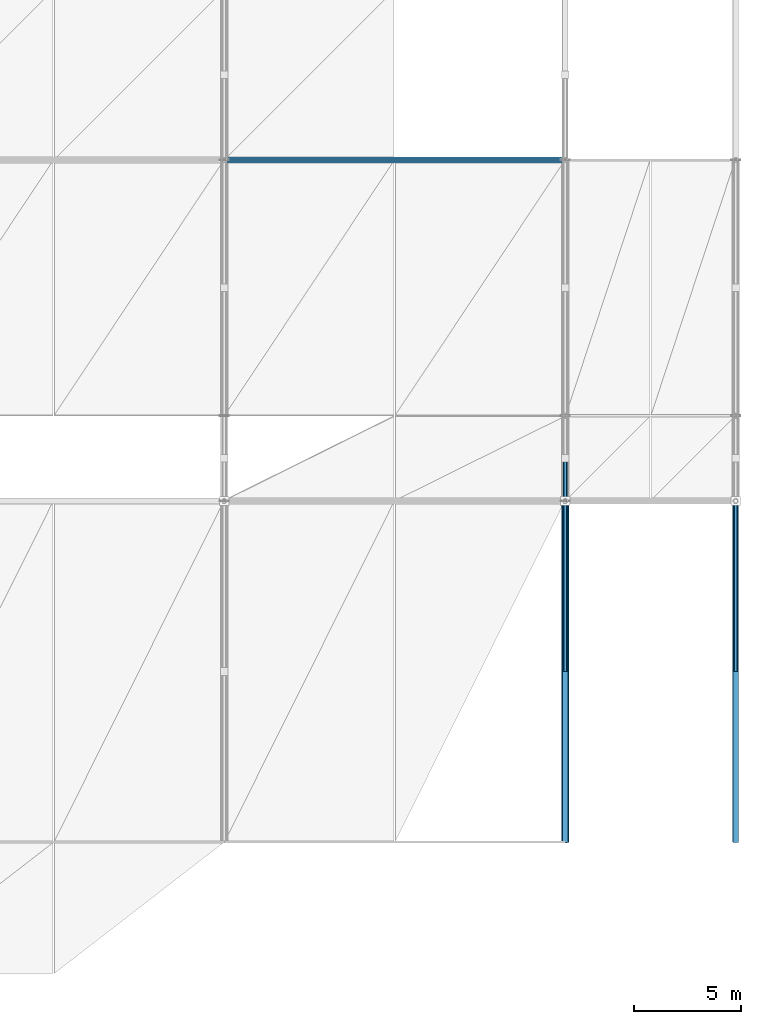
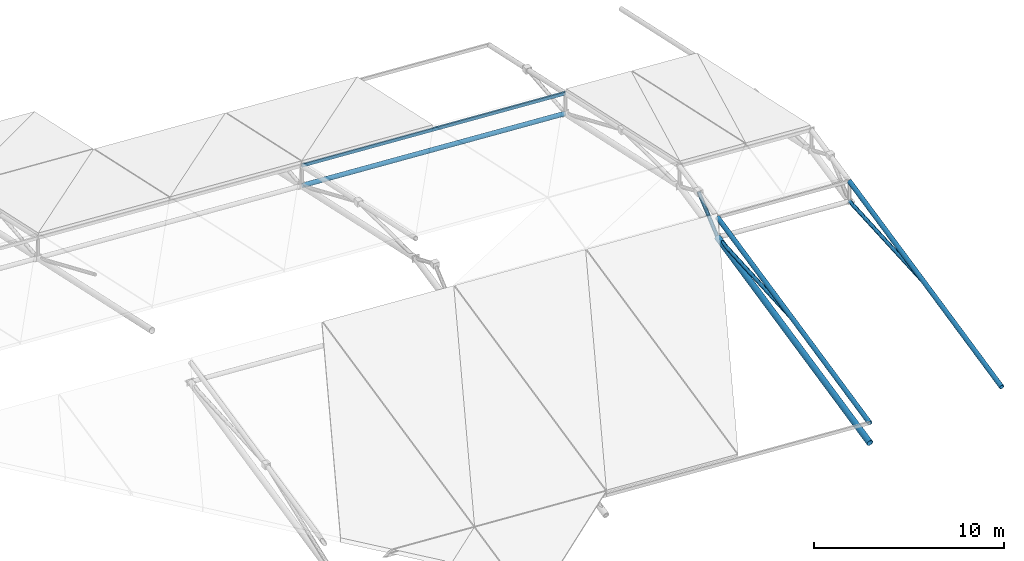
# One storey, part 31 of 67: 6 members, 2 beams.
"""IFC4 building model written with IfcOpenShell, lengths in metres."""

from ifc_helpers import new_model, si_unit, direction, frame, origin, origin_2d, place, context, subcontext, project, spatial, hollow_rectangle, hollow_circle, extrude, material, material_profile, profile_set, type_object, element, save


model = new_model("IFC4")

# Units and contexts
model_context = context("Model", 3, precision=1e-05, world=origin(), true_north=direction((0.0, 1.0)))
body_context = subcontext(model_context, "Body", "Model", "MODEL_VIEW")
ifc_project = project(units=[si_unit("LENGTHUNIT", "METRE"), si_unit("AREAUNIT", "SQUARE_METRE"), si_unit("VOLUMEUNIT", "CUBIC_METRE"), si_unit("PLANEANGLEUNIT", "RADIAN"), si_unit("MASSUNIT", "GRAM", prefix="KILO")], contexts=[model_context])

# Site, building, storey
site_placement = place(None, origin())
site = spatial("IfcSite", under=ifc_project, at=site_placement, CompositionType="ELEMENT")
building_placement = place(site_placement, origin())
building = spatial("IfcBuilding", under=site, at=building_placement, Name="Drelvath Fold Interchange", CompositionType="ELEMENT")
storey_placement = place(building_placement, frame((0.0, 0.0, 15.60009765625)))
storey = spatial("IfcBuildingStorey", under=building, at=storey_placement, Name="L03", CompositionType="ELEMENT", Elevation=15.60009765625)

# Members
ifc_material = material(Name="Steel ASTM A500 Grade C", Category="steel")
ifc_material_profile_1 = material_profile(ifc_material, hollow_rectangle(XDim=0.10205078125, YDim=0.202880859375, WallThickness=0.00732421875, at=origin_2d()), Name="HSS8X4X5/16")
ifc_profile_set_1 = profile_set([ifc_material_profile_1], Name="Steel ASTM A500 Grade C")
member_type_1 = type_object("IfcMemberType", Name="PR-HSS203", PredefinedType="PURLIN", material=ifc_profile_set_1)
member_1_placement = place(storey_placement, frame((150.0, 59.0, 2.2578125), z_axis=(0.998197699277, 0.0, -0.060011275256), x_axis=(0.0, 1.0, 0.0)))
element("IfcMember", 1, at=member_1_placement, inside=storey, type_object=member_type_1, Name="L03 Space frame canopy purlin PR-HSS203", PredefinedType="PURLIN", context=body_context, shape_type="SweptSolid", body=[
    extrude(hollow_rectangle(XDim=0.10205078125, YDim=0.202880859375, WallThickness=0.00732421875, at=origin_2d()), origin(), (0.0, 0.0, 1.0), 16.02880859375),
])
ifc_material_profile_2 = material_profile(ifc_material, hollow_circle(Radius=0.136474609375, WallThickness=0.01171875, at=origin_2d()), Name="HSS10.750X0.500")
ifc_profile_set_2 = profile_set([ifc_material_profile_2], Name="Steel ASTM A500 Grade C")
member_type_2 = type_object("IfcMemberType", Name="SF-CHD273", PredefinedType="CHORD", material=ifc_profile_set_2)
for number, where, z_axis, x_axis, name in (
    (2, (166.0, 27.0, -0.47998046875), (0.0, 0.977055375556, 0.212985429309), (-1.0, 0.0, 0.0), "L03 Space frame roof truss upper chord SF-CHD273"),
    (3, (174.0, 27.0, -0.961181640625), (0.0, 0.977052272987, 0.212999661624), (-1.0, 0.0, 0.0), "L03 Space frame roof truss upper chord SF-CHD273"),
):
    element("IfcMember", number, at=place(storey_placement, frame(where, z_axis=z_axis, x_axis=x_axis)), inside=storey, type_object=member_type_2, Name=name, PredefinedType="CHORD", context=body_context, shape_type="SweptSolid", body=[
        extrude(hollow_circle(Radius=0.136474609375, WallThickness=0.01171875, at=origin_2d()), origin(), (0.0, 0.0, 1.0), 16.375732421875),
    ])

# Beams
ifc_material_profile_3 = material_profile(ifc_material, hollow_circle(Radius=0.177978515625, WallThickness=0.01171875, at=origin_2d()), Name="HSS14.000X0.500")
ifc_profile_set_3 = profile_set([ifc_material_profile_3], Name="Steel ASTM A500 Grade C")
beam_type_1 = type_object("IfcBeamType", Name="SF-RIB356", PredefinedType="BEAM", material=ifc_profile_set_3)
beam_1_placement = place(storey_placement, frame((166.0, 27.0, -1.75), z_axis=(0.0, 0.977055375556, 0.212985429309), x_axis=(-1.0, 0.0, 0.0)))
element("IfcBeam", 4, at=beam_1_placement, inside=storey, type_object=beam_type_1, Name="Space frame roof truss main rib chord EAST", PredefinedType="BEAM", context=body_context, shape_type="SweptSolid", body=[
    extrude(hollow_circle(Radius=0.177978515625, WallThickness=0.01171875, at=origin_2d()), origin(), (0.0, 0.0, 1.0), 16.375732421875),
])
ifc_material_profile_4 = material_profile(ifc_material, hollow_circle(Radius=0.136474609375, WallThickness=0.01171875, at=origin_2d()), Name="HSS10.750X0.500")
ifc_profile_set_4 = profile_set([ifc_material_profile_4], Name="Steel ASTM A500 Grade C")
beam_type_2 = type_object("IfcBeamType", Name="SF-TIE273", PredefinedType="BEAM", material=ifc_profile_set_4)
beam_2_placement = place(storey_placement, frame((150.050048828125, 59.0, 0.955810546875), z_axis=(0.998174997398, 0.0, -0.060387702143), x_axis=(0.0, 1.0, 0.0)))
element("IfcBeam", 5, at=beam_2_placement, inside=storey, type_object=beam_type_2, Name="Space frame roof truss longitudinal tie EAST", PredefinedType="BEAM", context=body_context, shape_type="SweptSolid", body=[
    extrude(hollow_circle(Radius=0.136474609375, WallThickness=0.01171875, at=origin_2d()), origin(), (0.0, 0.0, 1.0), 15.928955078125),
])

# Members
ifc_material_profile_5 = material_profile(ifc_material, hollow_circle(Radius=0.109619140625, WallThickness=0.0087890625, at=origin_2d()), Name="HSS8.625X0.375")
ifc_profile_set_5 = profile_set([ifc_material_profile_5], Name="Steel ASTM A500 Grade C")
member_type_3 = type_object("IfcMemberType", Name="SF-WEB219", PredefinedType="BRACE", material=ifc_profile_set_5)
member_2_placement = place(storey_placement, frame((166.0, 35.0, 1.263916015625), z_axis=(0.0, 0.998250233211, 0.059130972371), x_axis=(-1.0, 0.0, 0.0)))
element("IfcMember", 6, at=member_2_placement, inside=storey, type_object=member_type_3, Name="L03 Space frame roof truss web brace SF-WEB219", PredefinedType="BRACE", context=body_context, shape_type="SweptSolid", body=[
    extrude(hollow_circle(Radius=0.109619140625, WallThickness=0.0087890625, at=origin_2d()), origin(), (0.0, 0.0, 1.0), 8.013916015625),
])
member_3_placement = place(storey_placement, frame((166.0, 43.0, 1.73779296875), z_axis=(0.0, 0.760801583253, 0.648984553683), x_axis=(-1.0, 0.0, 0.0)))
element("IfcMember", 7, at=member_3_placement, inside=storey, type_object=member_type_3, Name="L03 Space frame roof truss web brace SF-WEB219", PredefinedType="BRACE", context=body_context, shape_type="SweptSolid", body=[
    extrude(hollow_circle(Radius=0.109619140625, WallThickness=0.0087890625, at=origin_2d()), origin(), (0.0, 0.0, 1.0), 2.62890625),
])
member_4_placement = place(storey_placement, frame((174.0, 35.0, 0.782958984375), z_axis=(0.0, 0.998250233211, 0.059130972371), x_axis=(-1.0, 0.0, 0.0)))
element("IfcMember", 8, at=member_4_placement, inside=storey, type_object=member_type_3, Name="L03 Space frame roof truss web brace SF-WEB219", PredefinedType="BRACE", context=body_context, shape_type="SweptSolid", body=[
    extrude(hollow_circle(Radius=0.109619140625, WallThickness=0.0087890625, at=origin_2d()), origin(), (0.0, 0.0, 1.0), 8.013916015625),
])

save(model, "model.ifc")
